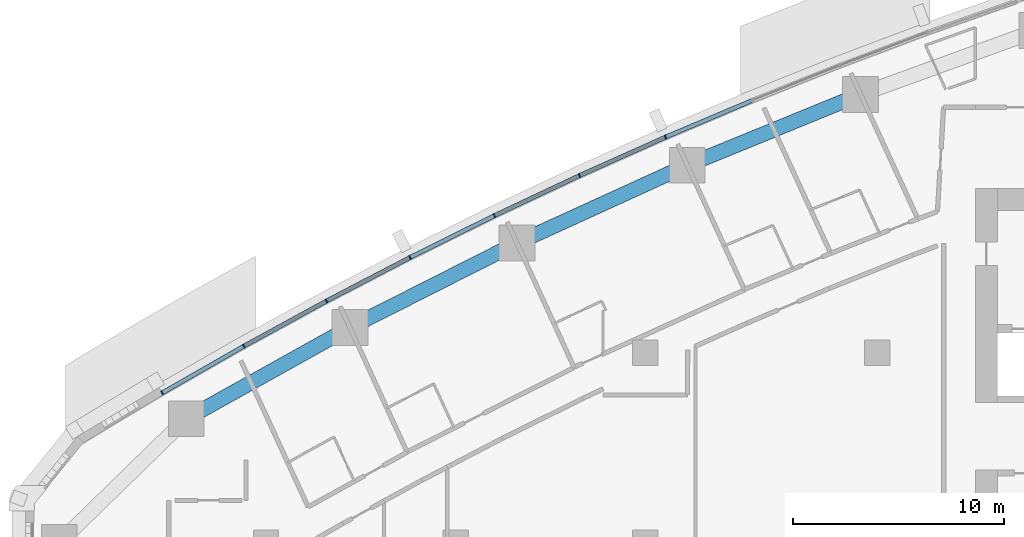
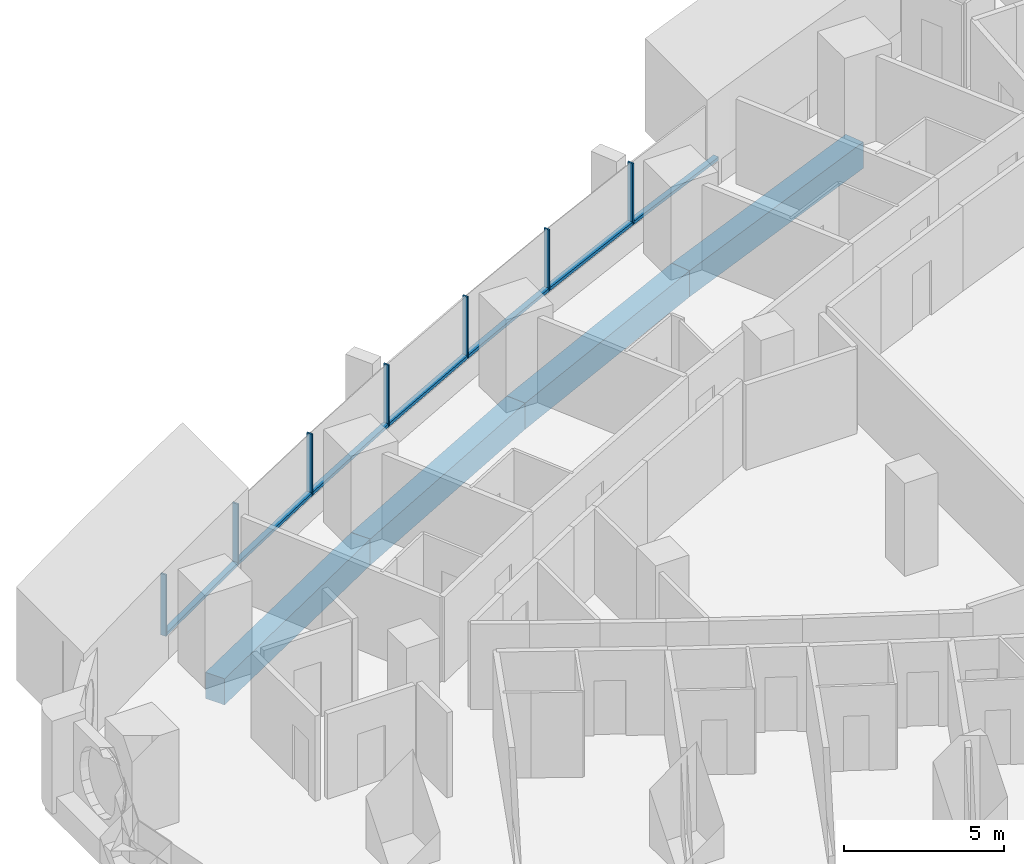
# One storey, part 5 of 17: 14 members, 4 beams, 4 elements without a shape of their own.
"""IFC4 building model written with IfcOpenShell, lengths in metres."""

from ifc_helpers import new_model, si_unit, direction, frame, origin, origin_2d, place, context, subcontext, project, spatial, rectangle, extrude, material, layer, layer_set, material_profile, profile_set, type_object, element, aggregate, save


model = new_model("IFC4")

# Units and contexts
model_context = context("Model", 3, precision=1e-05, world=origin(), true_north=direction((0.0, 1.0)))
body_context = subcontext(model_context, "Body", "Model", "MODEL_VIEW")
ifc_project = project(units=[si_unit("LENGTHUNIT", "METRE"), si_unit("AREAUNIT", "SQUARE_METRE"), si_unit("VOLUMEUNIT", "CUBIC_METRE"), si_unit("PLANEANGLEUNIT", "RADIAN"), si_unit("MASSUNIT", "GRAM", prefix="KILO")], contexts=[model_context])

# Site, building, storey
site_placement = place(None, origin())
site = spatial("IfcSite", under=ifc_project, at=site_placement, CompositionType="ELEMENT")
building_placement = place(site_placement, origin())
building = spatial("IfcBuilding", under=site, at=building_placement, Name="Ostrand Prow Hotel Tower", CompositionType="ELEMENT")
storey_placement = place(building_placement, frame((0.0, 0.0, 95.550048828125)))
storey = spatial("IfcBuildingStorey", under=building, at=storey_placement, Name="L22", CompositionType="ELEMENT", Elevation=95.550048828125)

# Beams
ifc_material_1 = material(Name="Concrete C80/95", Category="concrete")
ifc_material_profile_1 = material_profile(ifc_material_1, rectangle(XDim=0.699951171875, YDim=1.0, at=origin_2d()), Name="RC 700x1000")
ifc_profile_set_1 = profile_set([ifc_material_profile_1], Name="Concrete C80/95")
beam_type = type_object("IfcBeamType", Name="Edge beam 700x1000 C80/95", PredefinedType="SPANDREL", material=ifc_profile_set_1)
beam_1_placement = place(storey_placement, frame((44.210693359375, 21.263671875, -0.800048828125), z_axis=(-0.925612172894, -0.378473387955, 0.0), x_axis=(0.378473387955, -0.925612172894, 0.0)))
element("IfcBeam", 1, at=beam_1_placement, inside=storey, type_object=beam_type, Name="Edge beam N2-N3", PredefinedType="SPANDREL", context=body_context, shape_type="SweptSolid", body=[
    extrude(rectangle(XDim=0.699951171875, YDim=1.0, at=origin_2d()), origin(), (0.0, 0.0, 1.0), 8.88330078125),
])
beam_2_placement = place(storey_placement, frame((35.98828125, 17.901611328125, -0.800048828125), z_axis=(-0.909681006953, -0.415307675813, 0.0), x_axis=(0.415307675813, -0.909681006953, 0.0)))
element("IfcBeam", 2, at=beam_2_placement, inside=storey, type_object=beam_type, Name="Edge beam N3-N4", PredefinedType="SPANDREL", context=body_context, shape_type="SweptSolid", body=[
    extrude(rectangle(XDim=0.699951171875, YDim=1.0, at=origin_2d()), origin(), (0.0, 0.0, 1.0), 8.883544921875),
])
beam_3_placement = place(storey_placement, frame((27.906982421875, 14.212158203125, -0.800048828125), z_axis=(-0.892284288592, -0.451473973039, 0.0), x_axis=(0.451473973039, -0.892284288592, 0.0)))
element("IfcBeam", 3, at=beam_3_placement, inside=storey, type_object=beam_type, Name="Edge beam N4-N5", PredefinedType="SPANDREL", context=body_context, shape_type="SweptSolid", body=[
    extrude(rectangle(XDim=0.699951171875, YDim=1.0, at=origin_2d()), origin(), (0.0, 0.0, 1.0), 8.883056640625),
])
beam_4_placement = place(storey_placement, frame((19.980712890625, 10.20166015625, -0.800048828125), z_axis=(-0.873452439955, -0.486909473245, 0.0), x_axis=(0.486909473245, -0.873452439955, 0.0)))
element("IfcBeam", 4, at=beam_4_placement, inside=storey, type_object=beam_type, Name="Edge beam N5-N6", PredefinedType="SPANDREL", context=body_context, shape_type="SweptSolid", body=[
    extrude(rectangle(XDim=0.699951171875, YDim=1.0, at=origin_2d()), origin(), (0.0, 0.0, 1.0), 8.883544921875),
])

# Curtain wall, member
ifc_material_2 = material(Name="Insulated glass in bronze anodised frame", Category="glass")
ifc_layer = layer(ifc_material_2, 0.199951171875)
ifc_layer_set = layer_set([ifc_layer], Name="Insulated glass in bronze anodised frame")
curtain_wall_type = type_object("IfcCurtainWallType", Name="Strip curtain wall, fritted glass over bronze spandrel", PredefinedType="NOTDEFINED", material=ifc_layer_set)
curtain_wall_1_placement = place(storey_placement, origin())
curtain_wall_1 = element("IfcCurtainWall", 5, at=curtain_wall_1_placement, inside=storey, type_object=curtain_wall_type, Name="CW1 run CWN2", PredefinedType="NOTDEFINED")
ifc_material_3 = material(Name="Bronze anodised aluminium", Category="aluminium")
ifc_material_profile_2 = material_profile(ifc_material_3, rectangle(XDim=0.199951171875, YDim=0.06005859375, at=origin_2d()), Name="Mullion 60x200 bronze anodised aluminium")
ifc_profile_set_2 = profile_set([ifc_material_profile_2], Name="Bronze anodised aluminium")
member_type_1 = type_object("IfcMemberType", Name="Mullion 60x200 bronze anodised aluminium", PredefinedType="MULLION", material=ifc_profile_set_2)
member_1_placement = place(storey_placement, frame((34.95068359375, 19.233154296875, 0.89990234375), z_axis=(0.0, 0.0, 1.0), x_axis=(0.389506566255, -0.921023688536, 0.0)))
member_1 = element("IfcMember", 6, at=member_1_placement, type_object=member_type_1, Name="CW1 mullion 3", PredefinedType="MULLION", context=body_context, shape_type="SweptSolid", body=[
    extrude(rectangle(XDim=0.199951171875, YDim=0.06005859375, at=origin_2d()), origin(), (0.0, 0.0, 1.0), 2.35009765625),
])

# Curtain wall, members
curtain_wall_2_placement = place(storey_placement, origin())
curtain_wall_2 = element("IfcCurtainWall", 7, at=curtain_wall_2_placement, inside=storey, type_object=curtain_wall_type, Name="CW1 run CWN3", PredefinedType="NOTDEFINED")
member_2_placement = place(storey_placement, frame((30.872802734375, 17.41162109375, 0.89990234375), z_axis=(0.0, 0.0, 1.0), x_axis=(0.426079320162, -0.904685808958, 0.0)))
member_2 = element("IfcMember", 8, at=member_2_placement, type_object=member_type_1, Name="CW1 mullion 2", PredefinedType="MULLION", context=body_context, shape_type="SweptSolid", body=[
    extrude(rectangle(XDim=0.199951171875, YDim=0.06005859375, at=origin_2d()), origin(), (0.0, 0.0, 1.0), 2.35009765625),
])
member_3_placement = place(storey_placement, frame((26.83251953125, 15.508544921875, 0.89990234375), z_axis=(0.0, 0.0, 1.0), x_axis=(0.426079320162, -0.904685808958, 0.0)))
member_3 = element("IfcMember", 9, at=member_3_placement, type_object=member_type_1, Name="CW1 mullion 3", PredefinedType="MULLION", context=body_context, shape_type="SweptSolid", body=[
    extrude(rectangle(XDim=0.199951171875, YDim=0.06005859375, at=origin_2d()), origin(), (0.0, 0.0, 1.0), 2.35009765625),
])

curtain_wall_3_placement = place(storey_placement, origin())
curtain_wall_3 = element("IfcCurtainWall", 10, at=curtain_wall_3_placement, inside=storey, type_object=curtain_wall_type, Name="CW1 run CWN4", PredefinedType="NOTDEFINED")
member_4_placement = place(storey_placement, frame((22.831298828125, 13.525146484375, 0.89990234375), z_axis=(0.0, 0.0, 1.0), x_axis=(0.461968432937, -0.886896367661, 0.0)))
member_4 = element("IfcMember", 11, at=member_4_placement, type_object=member_type_1, Name="CW1 mullion 2", PredefinedType="MULLION", context=body_context, shape_type="SweptSolid", body=[
    extrude(rectangle(XDim=0.199951171875, YDim=0.06005859375, at=origin_2d()), origin(), (0.0, 0.0, 1.0), 2.35009765625),
])
member_5_placement = place(storey_placement, frame((18.870361328125, 11.4619140625, 0.89990234375), z_axis=(0.0, 0.0, 1.0), x_axis=(0.461968432937, -0.886896367661, 0.0)))
member_5 = element("IfcMember", 12, at=member_5_placement, type_object=member_type_1, Name="CW1 mullion 3", PredefinedType="MULLION", context=body_context, shape_type="SweptSolid", body=[
    extrude(rectangle(XDim=0.199951171875, YDim=0.06005859375, at=origin_2d()), origin(), (0.0, 0.0, 1.0), 2.35009765625),
])

curtain_wall_4_placement = place(storey_placement, origin())
curtain_wall_4 = element("IfcCurtainWall", 13, at=curtain_wall_4_placement, inside=storey, type_object=curtain_wall_type, Name="CW1 run CWN5", PredefinedType="NOTDEFINED")
member_6_placement = place(storey_placement, frame((14.951416015625, 9.320068359375, 0.89990234375), z_axis=(0.0, 0.0, 1.0), x_axis=(0.497114806368, -0.867684775301, 0.0)))
member_6 = element("IfcMember", 14, at=member_6_placement, type_object=member_type_1, Name="CW1 mullion 2", PredefinedType="MULLION", context=body_context, shape_type="SweptSolid", body=[
    extrude(rectangle(XDim=0.199951171875, YDim=0.06005859375, at=origin_2d()), origin(), (0.0, 0.0, 1.0), 2.35009765625),
])
member_7_placement = place(storey_placement, frame((11.076416015625, 7.099853515625, 0.89990234375), z_axis=(0.0, 0.0, 1.0), x_axis=(0.497114806368, -0.867684775301, 0.0)))
member_7 = element("IfcMember", 15, at=member_7_placement, type_object=member_type_1, Name="CW1 mullion 3", PredefinedType="MULLION", context=body_context, shape_type="SweptSolid", body=[
    extrude(rectangle(XDim=0.199951171875, YDim=0.06005859375, at=origin_2d()), origin(), (0.0, 0.0, 1.0), 2.35009765625),
])

# Member
ifc_material_4 = material(Name="Bronze anodised aluminium", Category="aluminium")
ifc_material_profile_3 = material_profile(ifc_material_4, rectangle(XDim=0.199951171875, YDim=0.1201171875, at=origin_2d()), Name="Transom 120x200 bronze anodised aluminium")
ifc_profile_set_3 = profile_set([ifc_material_profile_3], Name="Bronze anodised aluminium")
member_type_2 = type_object("IfcMemberType", Name="Transom 120x200 bronze anodised aluminium", PredefinedType="USERDEFINED", material=ifc_profile_set_3)
member_8_placement = place(storey_placement, frame((39.0361328125, 20.9609375, 0.9599609375), z_axis=(-0.921006250528, -0.389547797438, 0.0), x_axis=(0.389547797438, -0.921006250528, 0.0)))
member_8 = element("IfcMember", 16, at=member_8_placement, type_object=member_type_2, Name="CW1 transom 2.1", ObjectType="TRANSOM", PredefinedType="USERDEFINED", context=body_context, shape_type="SweptSolid", body=[
    extrude(rectangle(XDim=0.199951171875, YDim=0.1201171875, at=origin_2d()), origin(), (0.0, 0.0, 1.0), 4.406005859375),
])

aggregate(curtain_wall_1, [member_1, member_8])

member_9_placement = place(storey_placement, frame((34.923095703125, 19.220703125, 0.9599609375), z_axis=(-0.913030665163, -0.407890922271, 0.0), x_axis=(0.407890922271, -0.913030665163, 0.0)))
member_9 = element("IfcMember", 17, at=member_9_placement, type_object=member_type_2, Name="CW1 transom 1.1", ObjectType="TRANSOM", PredefinedType="USERDEFINED", context=body_context, shape_type="SweptSolid", body=[
    extrude(rectangle(XDim=0.199951171875, YDim=0.1201171875, at=origin_2d()), origin(), (0.0, 0.0, 1.0), 4.40576171875),
])

member_10_placement = place(storey_placement, frame((30.845703125, 17.398681640625, 0.9599609375), z_axis=(-0.904696854963, -0.42605586561, 0.0), x_axis=(0.42605586561, -0.904696854963, 0.0)))
member_10 = element("IfcMember", 18, at=member_10_placement, type_object=member_type_2, Name="CW1 transom 2.1", ObjectType="TRANSOM", PredefinedType="USERDEFINED", context=body_context, shape_type="SweptSolid", body=[
    extrude(rectangle(XDim=0.199951171875, YDim=0.1201171875, at=origin_2d()), origin(), (0.0, 0.0, 1.0), 4.406005859375),
])

aggregate(curtain_wall_2, [member_2, member_3, member_9, member_10])

member_11_placement = place(storey_placement, frame((26.8056640625, 15.495361328125, 0.9599609375), z_axis=(-0.895962348168, -0.444130015497, 0.0), x_axis=(0.444130015497, -0.895962348168, 0.0)))
member_11 = element("IfcMember", 19, at=member_11_placement, type_object=member_type_2, Name="CW1 transom 1.1", ObjectType="TRANSOM", PredefinedType="USERDEFINED", context=body_context, shape_type="SweptSolid", body=[
    extrude(rectangle(XDim=0.199951171875, YDim=0.1201171875, at=origin_2d()), origin(), (0.0, 0.0, 1.0), 4.406005859375),
])

member_12_placement = place(storey_placement, frame((22.8046875, 13.51123046875, 0.9599609375), z_axis=(-0.886901787206, -0.461958028235, 0.0), x_axis=(0.461958028235, -0.886901787206, 0.0)))
member_12 = element("IfcMember", 20, at=member_12_placement, type_object=member_type_2, Name="CW1 transom 2.1", ObjectType="TRANSOM", PredefinedType="USERDEFINED", context=body_context, shape_type="SweptSolid", body=[
    extrude(rectangle(XDim=0.199951171875, YDim=0.1201171875, at=origin_2d()), origin(), (0.0, 0.0, 1.0), 4.406005859375),
])

aggregate(curtain_wall_3, [member_4, member_5, member_11, member_12])

member_13_placement = place(storey_placement, frame((18.843994140625, 11.44775390625, 0.9599609375), z_axis=(-0.877471714137, -0.479628388328, 0.0), x_axis=(0.479628388328, -0.877471714137, 0.0)))
member_13 = element("IfcMember", 21, at=member_13_placement, type_object=member_type_2, Name="CW1 transom 1.1", ObjectType="TRANSOM", PredefinedType="USERDEFINED", context=body_context, shape_type="SweptSolid", body=[
    extrude(rectangle(XDim=0.199951171875, YDim=0.1201171875, at=origin_2d()), origin(), (0.0, 0.0, 1.0), 4.406005859375),
])

member_14_placement = place(storey_placement, frame((14.925537109375, 9.30517578125, 0.9599609375), z_axis=(-0.86766970623, -0.497141107625, 0.0), x_axis=(0.497141107625, -0.86766970623, 0.0)))
member_14 = element("IfcMember", 22, at=member_14_placement, type_object=member_type_2, Name="CW1 transom 2.1", ObjectType="TRANSOM", PredefinedType="USERDEFINED", context=body_context, shape_type="SweptSolid", body=[
    extrude(rectangle(XDim=0.199951171875, YDim=0.1201171875, at=origin_2d()), origin(), (0.0, 0.0, 1.0), 4.406005859375),
])

aggregate(curtain_wall_4, [member_6, member_7, member_13, member_14])

save(model, "model.ifc")
